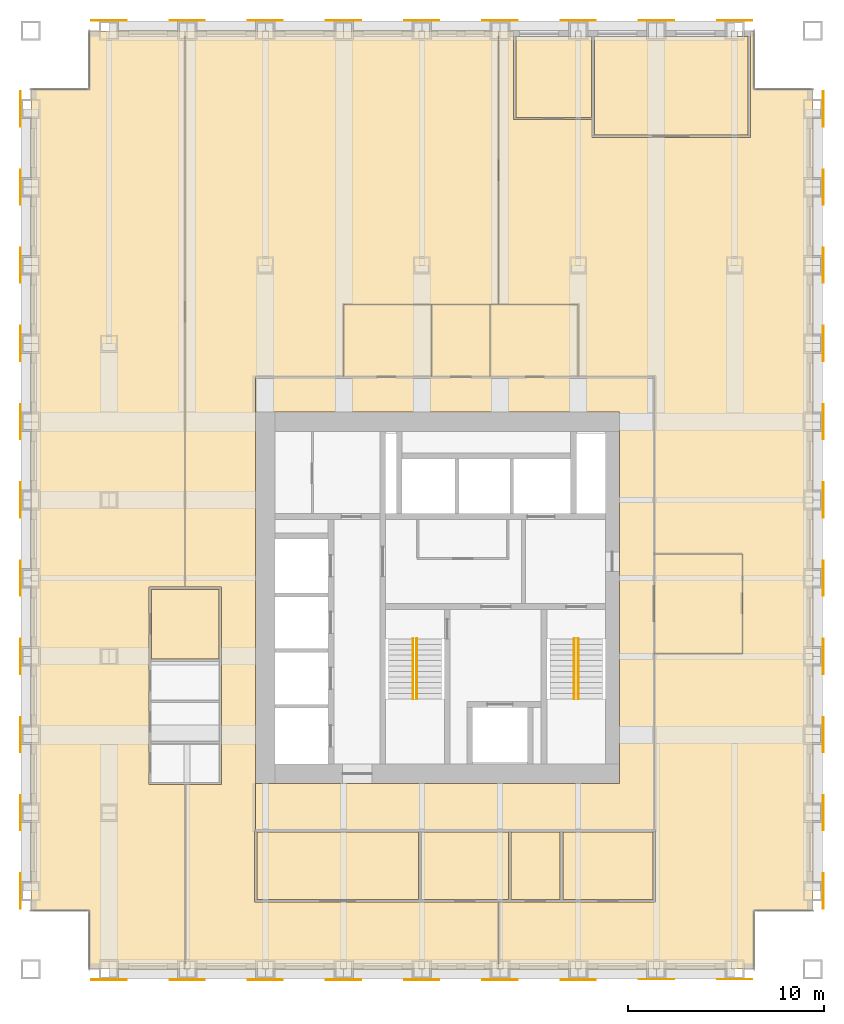
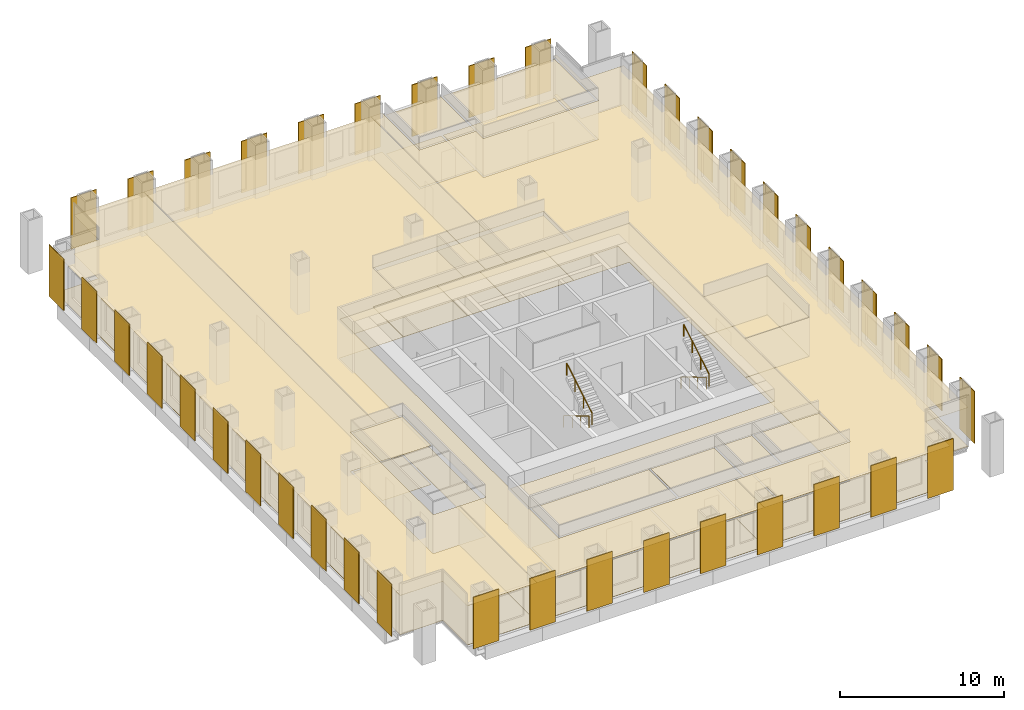
# One storey, part 13 of 13: 40 shading devices, 29 coverings, 4 railings.
"""IFC4 building model written with IfcOpenShell, lengths in metres."""

from ifc_helpers import new_model, si_unit, direction, frame, origin, origin_2d, place, context, subcontext, project, spatial, polyline, rectangle, circle, outline, extrude, material, layer, layer_set, type_object, element, save


model = new_model("IFC4")

# Units and contexts
model_context = context("Model", 3, precision=1e-05, world=origin(), true_north=direction((0.0, 1.0)))
body_context = subcontext(model_context, "Body", "Model", "MODEL_VIEW")
ifc_project = project(units=[si_unit("LENGTHUNIT", "METRE"), si_unit("AREAUNIT", "SQUARE_METRE"), si_unit("VOLUMEUNIT", "CUBIC_METRE"), si_unit("PLANEANGLEUNIT", "RADIAN"), si_unit("MASSUNIT", "GRAM", prefix="KILO")], contexts=[model_context])

# Site, building, storey
site_placement = place(None, origin())
site = spatial("IfcSite", under=ifc_project, at=site_placement, CompositionType="ELEMENT")
building_placement = place(site_placement, origin())
building = spatial("IfcBuilding", under=site, at=building_placement, Name="Rimbunsela Tower", CompositionType="ELEMENT")
storey_placement = place(building_placement, frame((0.0, 0.0, 187.800048828125)))
storey = spatial("IfcBuildingStorey", under=building, at=storey_placement, Name="L45", CompositionType="ELEMENT", Elevation=187.800048828125)

# Coverings
ifc_material_1 = material(Name="Nylon carpet tile", Category="textile")
ifc_layer_1 = layer(ifc_material_1, 0.010009765625)
ifc_layer_set_1 = layer_set([ifc_layer_1], Name="Carpet tile 10")
covering_type_1 = type_object("IfcCoveringType", Name="Carpet tile 10", PredefinedType="FLOORING", material=ifc_layer_set_1)
covering_1_placement = place(storey_placement, origin())
element("IfcCovering", 1, at=covering_1_placement, inside=storey, type_object=covering_type_1, Name="Floor finish Open office", PredefinedType="FLOORING", context=body_context, shape_type="SweptSolid", body=[
    extrude(outline(polyline([(29.925048828125, 56.0), (30.699951171875, 56.0), (30.699951171875, 51.449951171875), (34.699951171875, 51.449951171875), (34.699951171875, 50.550048828125), (37.89990234375, 50.550048828125), (42.800048828125, 50.550048828125), (42.800048828125, 56.0), (43.0, 56.0), (43.0, 53.0), (46.0, 53.0), (46.0, 11.0), (43.0, 11.0), (43.0, 8.0), (37.89990234375, 8.0), (29.925048828125, 8.0), (29.925048828125, 11.449951171875), (30.449951171875, 11.449951171875), (30.550048828125, 11.449951171875), (33.10009765625, 11.449951171875), (33.199951171875, 11.449951171875), (37.89990234375, 11.449951171875), (37.949951171875, 11.449951171875), (37.949951171875, 15.14990234375), (37.89990234375, 15.14990234375), (37.89990234375, 24.14990234375), (42.39990234375, 24.14990234375), (42.39990234375, 29.25), (37.89990234375, 29.25), (37.89990234375, 38.300048828125), (34.0, 38.300048828125), (34.0, 42.0), (29.925048828125, 42.0), (29.925048828125, 56.0)])), origin(), (0.0, 0.0, 1.0), 0.010009765625),
])
covering_2_placement = place(storey_placement, origin())
element("IfcCovering", 2, at=covering_2_placement, inside=storey, type_object=covering_type_1, Name="Floor finish Open office", PredefinedType="FLOORING", context=body_context, shape_type="SweptSolid", body=[
    extrude(outline(polyline([(13.89990234375, 8.0), (9.0, 8.0), (9.0, 11.0), (6.0, 11.0), (6.0, 53.0), (9.0, 53.0), (9.0, 56.0), (13.89990234375, 56.0), (13.89990234375, 27.550048828125), (12.050048828125, 27.550048828125), (12.050048828125, 23.85009765625), (12.050048828125, 23.75), (12.050048828125, 21.75), (12.050048828125, 21.64990234375), (12.050048828125, 19.64990234375), (12.050048828125, 19.550048828125), (12.050048828125, 17.449951171875), (13.89990234375, 17.449951171875), (13.89990234375, 8.0)])), origin(), (0.0, 0.0, 1.0), 0.010009765625),
])
covering_3_placement = place(storey_placement, origin())
element("IfcCovering", 3, at=covering_3_placement, inside=storey, type_object=covering_type_1, Name="Floor finish Open office", PredefinedType="FLOORING", context=body_context, shape_type="SweptSolid", body=[
    extrude(outline(polyline([(17.5, 8.0), (13.89990234375, 8.0), (13.89990234375, 17.449951171875), (15.75, 17.449951171875), (15.75, 19.550048828125), (15.75, 19.64990234375), (15.75, 21.64990234375), (15.75, 21.75), (15.75, 23.75), (15.75, 23.85009765625), (15.75, 27.550048828125), (13.89990234375, 27.550048828125), (13.89990234375, 56.0), (17.5, 56.0), (29.925048828125, 56.0), (29.925048828125, 42.0), (22.0, 42.0), (22.0, 38.300048828125), (17.5, 38.300048828125), (17.5, 36.5), (17.5, 17.5), (17.5, 15.14990234375), (17.449951171875, 15.14990234375), (17.449951171875, 11.449951171875), (17.5, 11.449951171875), (25.85009765625, 11.449951171875), (25.949951171875, 11.449951171875), (29.925048828125, 11.449951171875), (29.925048828125, 8.0), (17.5, 8.0)])), origin(), (0.0, 0.0, 1.0), 0.010009765625),
])
covering_4_placement = place(storey_placement, origin())
element("IfcCovering", 4, at=covering_4_placement, inside=storey, type_object=covering_type_1, Name="Floor finish Reception", PredefinedType="FLOORING", context=body_context, shape_type="SweptSolid", body=[
    extrude(outline(polyline([(42.39990234375, 24.14990234375), (42.39990234375, 29.25), (37.89990234375, 29.25), (37.89990234375, 24.14990234375), (42.39990234375, 24.14990234375)])), origin(), (0.0, 0.0, 1.0), 0.010009765625),
])
covering_5_placement = place(storey_placement, origin())
element("IfcCovering", 5, at=covering_5_placement, inside=storey, type_object=covering_type_1, Name="Floor finish Executive office", PredefinedType="FLOORING", context=body_context, shape_type="SweptSolid", body=[
    extrude(outline(polyline([(34.675048828125, 51.574951171875), (34.675048828125, 55.699951171875), (30.824951171875, 55.699951171875), (30.824951171875, 51.574951171875), (34.675048828125, 51.574951171875)])), origin(), (0.0, 0.0, 1.0), 0.010009765625),
])
covering_6_placement = place(storey_placement, origin())
element("IfcCovering", 6, at=covering_6_placement, inside=storey, type_object=covering_type_1, Name="Floor finish Boardroom", PredefinedType="FLOORING", context=body_context, shape_type="SweptSolid", body=[
    extrude(outline(polyline([(42.675048828125, 50.675048828125), (42.675048828125, 55.699951171875), (34.824951171875, 55.699951171875), (34.824951171875, 50.675048828125), (42.675048828125, 50.675048828125)])), origin(), (0.0, 0.0, 1.0), 0.010009765625),
])
covering_7_placement = place(storey_placement, origin())
element("IfcCovering", 7, at=covering_7_placement, inside=storey, type_object=covering_type_1, Name="Floor finish Training room", PredefinedType="FLOORING", context=body_context, shape_type="SweptSolid", body=[
    extrude(outline(polyline([(25.824951171875, 11.574951171875), (25.824951171875, 15.02490234375), (17.574951171875, 15.02490234375), (17.574951171875, 11.574951171875), (25.824951171875, 11.574951171875)])), origin(), (0.0, 0.0, 1.0), 0.010009765625),
])
covering_8_placement = place(storey_placement, origin())
element("IfcCovering", 8, at=covering_8_placement, inside=storey, type_object=covering_type_1, Name="Floor finish Pantry", PredefinedType="FLOORING", context=body_context, shape_type="SweptSolid", body=[
    extrude(outline(polyline([(30.425048828125, 11.574951171875), (30.425048828125, 15.02490234375), (25.97509765625, 15.02490234375), (25.97509765625, 11.574951171875), (30.425048828125, 11.574951171875)])), origin(), (0.0, 0.0, 1.0), 0.010009765625),
])
covering_9_placement = place(storey_placement, origin())
element("IfcCovering", 9, at=covering_9_placement, inside=storey, type_object=covering_type_1, Name="Floor finish Print and copy room", PredefinedType="FLOORING", context=body_context, shape_type="SweptSolid", body=[
    extrude(outline(polyline([(33.074951171875, 11.574951171875), (33.074951171875, 15.02490234375), (30.574951171875, 15.02490234375), (30.574951171875, 11.574951171875), (33.074951171875, 11.574951171875)])), origin(), (0.0, 0.0, 1.0), 0.010009765625),
])
covering_10_placement = place(storey_placement, origin())
element("IfcCovering", 10, at=covering_10_placement, inside=storey, type_object=covering_type_1, Name="Floor finish Office", PredefinedType="FLOORING", context=body_context, shape_type="SweptSolid", body=[
    extrude(outline(polyline([(37.824951171875, 11.574951171875), (37.824951171875, 15.02490234375), (33.22509765625, 15.02490234375), (33.22509765625, 11.574951171875), (37.824951171875, 11.574951171875)])), origin(), (0.0, 0.0, 1.0), 0.010009765625),
])
covering_11_placement = place(storey_placement, origin())
element("IfcCovering", 11, at=covering_11_placement, inside=storey, type_object=covering_type_1, Name="Floor finish Meeting room", PredefinedType="FLOORING", context=body_context, shape_type="SweptSolid", body=[
    extrude(outline(polyline([(15.625, 23.875), (15.625, 27.425048828125), (12.175048828125, 27.425048828125), (12.175048828125, 23.875), (15.625, 23.875)])), origin(), (0.0, 0.0, 1.0), 0.010009765625),
])
ifc_material_2 = material(Name="Mineral fibre ceiling tile", Category="gypsum")
ifc_layer_2 = layer(ifc_material_2, 0.02001953125)
ifc_layer_set_2 = layer_set([ifc_layer_2], Name="Ceiling 600 grid")
covering_type_2 = type_object("IfcCoveringType", Name="Ceiling 600 grid", PredefinedType="CEILING", material=ifc_layer_set_2)
covering_12_placement = place(storey_placement, frame((0.0, 0.0, 2.89990234375)))
element("IfcCovering", 12, at=covering_12_placement, inside=storey, type_object=covering_type_2, Name="Ceiling U-shaped corridor", PredefinedType="CEILING", context=body_context, shape_type="SweptSolid", body=[
    extrude(outline(polyline([(37.89990234375, 38.300048828125), (37.89990234375, 15.10009765625), (17.5, 15.10009765625), (17.5, 17.5), (36.10009765625, 17.5), (36.10009765625, 36.5), (17.5, 36.5), (17.5, 38.300048828125), (37.89990234375, 38.300048828125)])), origin(), (0.0, 0.0, 1.0), 0.02001953125),
])
covering_13_placement = place(storey_placement, frame((0.0, 0.0, 2.89990234375)))
element("IfcCovering", 13, at=covering_13_placement, inside=storey, type_object=covering_type_2, Name="Ceiling Open office", PredefinedType="CEILING", context=body_context, shape_type="SweptSolid", body=[
    extrude(outline(polyline([(29.925048828125, 56.0), (30.699951171875, 56.0), (30.699951171875, 51.449951171875), (34.699951171875, 51.449951171875), (34.699951171875, 50.550048828125), (37.89990234375, 50.550048828125), (42.800048828125, 50.550048828125), (42.800048828125, 56.0), (43.0, 56.0), (43.0, 53.0), (46.0, 53.0), (46.0, 11.0), (43.0, 11.0), (43.0, 8.0), (37.89990234375, 8.0), (29.925048828125, 8.0), (29.925048828125, 11.449951171875), (30.449951171875, 11.449951171875), (30.550048828125, 11.449951171875), (33.10009765625, 11.449951171875), (33.199951171875, 11.449951171875), (37.89990234375, 11.449951171875), (37.949951171875, 11.449951171875), (37.949951171875, 15.14990234375), (37.89990234375, 15.14990234375), (37.89990234375, 24.14990234375), (42.39990234375, 24.14990234375), (42.39990234375, 29.25), (37.89990234375, 29.25), (37.89990234375, 38.300048828125), (34.0, 38.300048828125), (34.0, 42.0), (29.925048828125, 42.0), (29.925048828125, 56.0)])), origin(), (0.0, 0.0, 1.0), 0.02001953125),
])
covering_14_placement = place(storey_placement, frame((0.0, 0.0, 2.89990234375)))
element("IfcCovering", 14, at=covering_14_placement, inside=storey, type_object=covering_type_2, Name="Ceiling Open office", PredefinedType="CEILING", context=body_context, shape_type="SweptSolid", body=[
    extrude(outline(polyline([(13.89990234375, 8.0), (9.0, 8.0), (9.0, 11.0), (6.0, 11.0), (6.0, 53.0), (9.0, 53.0), (9.0, 56.0), (13.89990234375, 56.0), (13.89990234375, 27.550048828125), (12.050048828125, 27.550048828125), (12.050048828125, 23.85009765625), (12.050048828125, 23.75), (12.050048828125, 21.75), (12.050048828125, 21.64990234375), (12.050048828125, 19.64990234375), (12.050048828125, 19.550048828125), (12.050048828125, 17.449951171875), (13.89990234375, 17.449951171875), (13.89990234375, 8.0)])), origin(), (0.0, 0.0, 1.0), 0.02001953125),
])
covering_15_placement = place(storey_placement, frame((0.0, 0.0, 2.89990234375)))
element("IfcCovering", 15, at=covering_15_placement, inside=storey, type_object=covering_type_2, Name="Ceiling Open office", PredefinedType="CEILING", context=body_context, shape_type="SweptSolid", body=[
    extrude(outline(polyline([(17.5, 8.0), (13.89990234375, 8.0), (13.89990234375, 17.449951171875), (15.75, 17.449951171875), (15.75, 19.550048828125), (15.75, 19.64990234375), (15.75, 21.64990234375), (15.75, 21.75), (15.75, 23.75), (15.75, 23.85009765625), (15.75, 27.550048828125), (13.89990234375, 27.550048828125), (13.89990234375, 56.0), (17.5, 56.0), (29.925048828125, 56.0), (29.925048828125, 42.0), (22.0, 42.0), (22.0, 38.300048828125), (17.5, 38.300048828125), (17.5, 36.5), (17.5, 17.5), (17.5, 15.14990234375), (17.449951171875, 15.14990234375), (17.449951171875, 11.449951171875), (17.5, 11.449951171875), (25.85009765625, 11.449951171875), (25.949951171875, 11.449951171875), (29.925048828125, 11.449951171875), (29.925048828125, 8.0), (17.5, 8.0)])), origin(), (0.0, 0.0, 1.0), 0.02001953125),
])
covering_16_placement = place(storey_placement, frame((0.0, 0.0, 2.89990234375)))
element("IfcCovering", 16, at=covering_16_placement, inside=storey, type_object=covering_type_2, Name="Ceiling Reception", PredefinedType="CEILING", context=body_context, shape_type="SweptSolid", body=[
    extrude(outline(polyline([(42.39990234375, 24.14990234375), (42.39990234375, 29.25), (37.89990234375, 29.25), (37.89990234375, 24.14990234375), (42.39990234375, 24.14990234375)])), origin(), (0.0, 0.0, 1.0), 0.02001953125),
])
covering_17_placement = place(storey_placement, frame((0.0, 0.0, 2.89990234375)))
element("IfcCovering", 17, at=covering_17_placement, inside=storey, type_object=covering_type_2, Name="Ceiling Executive office", PredefinedType="CEILING", context=body_context, shape_type="SweptSolid", body=[
    extrude(outline(polyline([(34.675048828125, 51.574951171875), (34.675048828125, 55.699951171875), (30.824951171875, 55.699951171875), (30.824951171875, 51.574951171875), (34.675048828125, 51.574951171875)])), origin(), (0.0, 0.0, 1.0), 0.02001953125),
])
covering_18_placement = place(storey_placement, frame((0.0, 0.0, 2.89990234375)))
element("IfcCovering", 18, at=covering_18_placement, inside=storey, type_object=covering_type_2, Name="Ceiling Boardroom", PredefinedType="CEILING", context=body_context, shape_type="SweptSolid", body=[
    extrude(outline(polyline([(42.675048828125, 50.675048828125), (42.675048828125, 55.699951171875), (34.824951171875, 55.699951171875), (34.824951171875, 50.675048828125), (42.675048828125, 50.675048828125)])), origin(), (0.0, 0.0, 1.0), 0.02001953125),
])
covering_19_placement = place(storey_placement, frame((0.0, 0.0, 2.89990234375)))
element("IfcCovering", 19, at=covering_19_placement, inside=storey, type_object=covering_type_2, Name="Ceiling Training room", PredefinedType="CEILING", context=body_context, shape_type="SweptSolid", body=[
    extrude(outline(polyline([(25.824951171875, 11.574951171875), (25.824951171875, 15.02490234375), (17.574951171875, 15.02490234375), (17.574951171875, 11.574951171875), (25.824951171875, 11.574951171875)])), origin(), (0.0, 0.0, 1.0), 0.02001953125),
])
covering_20_placement = place(storey_placement, frame((0.0, 0.0, 2.89990234375)))
element("IfcCovering", 20, at=covering_20_placement, inside=storey, type_object=covering_type_2, Name="Ceiling Pantry", PredefinedType="CEILING", context=body_context, shape_type="SweptSolid", body=[
    extrude(outline(polyline([(30.425048828125, 11.574951171875), (30.425048828125, 15.02490234375), (25.97509765625, 15.02490234375), (25.97509765625, 11.574951171875), (30.425048828125, 11.574951171875)])), origin(), (0.0, 0.0, 1.0), 0.02001953125),
])
covering_21_placement = place(storey_placement, frame((0.0, 0.0, 2.89990234375)))
element("IfcCovering", 21, at=covering_21_placement, inside=storey, type_object=covering_type_2, Name="Ceiling Print and copy room", PredefinedType="CEILING", context=body_context, shape_type="SweptSolid", body=[
    extrude(outline(polyline([(33.074951171875, 11.574951171875), (33.074951171875, 15.02490234375), (30.574951171875, 15.02490234375), (30.574951171875, 11.574951171875), (33.074951171875, 11.574951171875)])), origin(), (0.0, 0.0, 1.0), 0.02001953125),
])
covering_22_placement = place(storey_placement, frame((0.0, 0.0, 2.89990234375)))
element("IfcCovering", 22, at=covering_22_placement, inside=storey, type_object=covering_type_2, Name="Ceiling Office", PredefinedType="CEILING", context=body_context, shape_type="SweptSolid", body=[
    extrude(outline(polyline([(37.824951171875, 11.574951171875), (37.824951171875, 15.02490234375), (33.22509765625, 15.02490234375), (33.22509765625, 11.574951171875), (37.824951171875, 11.574951171875)])), origin(), (0.0, 0.0, 1.0), 0.02001953125),
])
covering_23_placement = place(storey_placement, frame((0.0, 0.0, 2.89990234375)))
element("IfcCovering", 23, at=covering_23_placement, inside=storey, type_object=covering_type_2, Name="Ceiling Meeting room", PredefinedType="CEILING", context=body_context, shape_type="SweptSolid", body=[
    extrude(outline(polyline([(15.625, 23.875), (15.625, 27.425048828125), (12.175048828125, 27.425048828125), (12.175048828125, 23.875), (15.625, 23.875)])), origin(), (0.0, 0.0, 1.0), 0.02001953125),
])
ifc_material_3 = material(Name="Moisture-resistant plasterboard ceiling", Category="gypsum")
ifc_layer_3 = layer(ifc_material_3, 0.012451171875)
ifc_layer_set_3 = layer_set([ifc_layer_3], Name="Ceiling moisture-resistant board")
covering_type_3 = type_object("IfcCoveringType", Name="Ceiling moisture-resistant board", PredefinedType="CEILING", material=ifc_layer_set_3)
covering_24_placement = place(storey_placement, frame((0.0, 0.0, 2.599853515625)))
element("IfcCovering", 24, at=covering_24_placement, inside=storey, type_object=covering_type_3, Name="Ceiling Female WC", PredefinedType="CEILING", context=body_context, shape_type="SweptSolid", body=[
    extrude(outline(polyline([(26.5, 38.300048828125), (26.5, 42.0), (22.0, 42.0), (22.0, 38.300048828125), (26.5, 38.300048828125)])), origin(), (0.0, 0.0, 1.0), 0.02001953125),
])
covering_25_placement = place(storey_placement, frame((0.0, 0.0, 2.599853515625)))
element("IfcCovering", 25, at=covering_25_placement, inside=storey, type_object=covering_type_3, Name="Ceiling Accessible WC", PredefinedType="CEILING", context=body_context, shape_type="SweptSolid", body=[
    extrude(outline(polyline([(29.5, 38.300048828125), (29.5, 42.0), (26.5, 42.0), (26.5, 38.300048828125), (29.5, 38.300048828125)])), origin(), (0.0, 0.0, 1.0), 0.02001953125),
])
covering_26_placement = place(storey_placement, frame((0.0, 0.0, 2.599853515625)))
element("IfcCovering", 26, at=covering_26_placement, inside=storey, type_object=covering_type_3, Name="Ceiling Male WC", PredefinedType="CEILING", context=body_context, shape_type="SweptSolid", body=[
    extrude(outline(polyline([(34.0, 38.300048828125), (34.0, 42.0), (29.5, 42.0), (29.5, 38.300048828125), (34.0, 38.300048828125)])), origin(), (0.0, 0.0, 1.0), 0.02001953125),
])
ifc_material_4 = material(Name="Porcelain floor tile in adhesive bed", Category="ceramic")
ifc_layer_4 = layer(ifc_material_4, 0.02001953125)
ifc_layer_set_4 = layer_set([ifc_layer_4], Name="Porcelain tile 20")
covering_type_4 = type_object("IfcCoveringType", Name="Porcelain tile 20", PredefinedType="FLOORING", material=ifc_layer_set_4)
covering_27_placement = place(storey_placement, origin())
element("IfcCovering", 27, at=covering_27_placement, inside=storey, type_object=covering_type_4, Name="Floor finish Female WC", PredefinedType="FLOORING", context=body_context, shape_type="SweptSolid", body=[
    extrude(outline(polyline([(26.5, 38.300048828125), (26.5, 42.0), (22.0, 42.0), (22.0, 38.300048828125), (26.5, 38.300048828125)])), origin(), (0.0, 0.0, 1.0), 0.02001953125),
])
covering_28_placement = place(storey_placement, origin())
element("IfcCovering", 28, at=covering_28_placement, inside=storey, type_object=covering_type_4, Name="Floor finish Accessible WC", PredefinedType="FLOORING", context=body_context, shape_type="SweptSolid", body=[
    extrude(outline(polyline([(29.5, 38.300048828125), (29.5, 42.0), (26.5, 42.0), (26.5, 38.300048828125), (29.5, 38.300048828125)])), origin(), (0.0, 0.0, 1.0), 0.02001953125),
])
covering_29_placement = place(storey_placement, origin())
element("IfcCovering", 29, at=covering_29_placement, inside=storey, type_object=covering_type_4, Name="Floor finish Male WC", PredefinedType="FLOORING", context=body_context, shape_type="SweptSolid", body=[
    extrude(outline(polyline([(34.0, 38.300048828125), (34.0, 42.0), (29.5, 42.0), (29.5, 38.300048828125), (34.0, 38.300048828125)])), origin(), (0.0, 0.0, 1.0), 0.02001953125),
])

# Shading devices
ifc_material_5 = material(Name="Perforated aluminium, 35 % open area", Category="aluminium")
ifc_layer_5 = layer(ifc_material_5, 0.050048828125)
ifc_layer_set_5 = layer_set([ifc_layer_5], Name="Solar screen panel 1800")
shading_device_type = type_object("IfcShadingDeviceType", Name="Solar screen panel 1800", PredefinedType="USERDEFINED", material=ifc_layer_set_5)
for number, where, z_axis, x_axis, name in (
    (30, (10.0, 7.47509765625, 0.0), (0.0, 0.0, 1.0), (1.0, 0.0, 0.0), "Solar screen S L45"),
    (31, (14.0, 7.47509765625, 0.0), (0.0, 0.0, 1.0), (1.0, 0.0, 0.0), "Solar screen S L45"),
    (32, (18.0, 7.47509765625, 0.0), (0.0, 0.0, 1.0), (1.0, 0.0, 0.0), "Solar screen S L45"),
    (33, (22.0, 7.47509765625, 0.0), (0.0, 0.0, 1.0), (1.0, 0.0, 0.0), "Solar screen S L45"),
    (34, (26.0, 7.47509765625, 0.0), (0.0, 0.0, 1.0), (1.0, 0.0, 0.0), "Solar screen S L45"),
    (35, (30.0, 7.47509765625, 0.0), (0.0, 0.0, 1.0), (1.0, 0.0, 0.0), "Solar screen S L45"),
    (36, (34.0, 7.47509765625, 0.0), (0.0, 0.0, 1.0), (1.0, 0.0, 0.0), "Solar screen S L45"),
    (37, (38.0, 7.47509765625, 0.0), (0.0, 0.0, 1.0), (1.0, 0.0, 0.0), "Solar screen S L45"),
    (38, (42.0, 7.47509765625, 0.0), (0.0, 0.0, 1.0), (1.0, 0.0, 0.0), "Solar screen S L45"),
    (39, (46.52490234375, 12.0, 0.0), (0.0, 0.0, 1.0), (0.0, 1.0, 0.0), "Solar screen E L45"),
    (40, (46.52490234375, 16.0, 0.0), (0.0, 0.0, 1.0), (0.0, 1.0, 0.0), "Solar screen E L45"),
    (41, (46.52490234375, 20.0, 0.0), (0.0, 0.0, 1.0), (0.0, 1.0, 0.0), "Solar screen E L45"),
    (42, (46.52490234375, 24.0, 0.0), (0.0, 0.0, 1.0), (0.0, 1.0, 0.0), "Solar screen E L45"),
    (43, (46.52490234375, 28.0, 0.0), (0.0, 0.0, 1.0), (0.0, 1.0, 0.0), "Solar screen E L45"),
    (44, (46.52490234375, 32.0, 0.0), (0.0, 0.0, 1.0), (0.0, 1.0, 0.0), "Solar screen E L45"),
    (45, (46.52490234375, 36.0, 0.0), (0.0, 0.0, 1.0), (0.0, 1.0, 0.0), "Solar screen E L45"),
    (46, (46.52490234375, 40.0, 0.0), (0.0, 0.0, 1.0), (0.0, 1.0, 0.0), "Solar screen E L45"),
    (47, (46.52490234375, 44.0, 0.0), (0.0, 0.0, 1.0), (0.0, 1.0, 0.0), "Solar screen E L45"),
    (48, (46.52490234375, 48.0, 0.0), (0.0, 0.0, 1.0), (0.0, 1.0, 0.0), "Solar screen E L45"),
    (49, (46.52490234375, 52.0, 0.0), (0.0, 0.0, 1.0), (0.0, 1.0, 0.0), "Solar screen E L45"),
    (50, (10.0, 56.52490234375, 0.0), (0.0, 0.0, 1.0), (1.0, 0.0, 0.0), "Solar screen N L45"),
    (51, (14.0, 56.52490234375, 0.0), (0.0, 0.0, 1.0), (1.0, 0.0, 0.0), "Solar screen N L45"),
    (52, (18.0, 56.52490234375, 0.0), (0.0, 0.0, 1.0), (1.0, 0.0, 0.0), "Solar screen N L45"),
    (53, (22.0, 56.52490234375, 0.0), (0.0, 0.0, 1.0), (1.0, 0.0, 0.0), "Solar screen N L45"),
    (54, (26.0, 56.52490234375, 0.0), (0.0, 0.0, 1.0), (1.0, 0.0, 0.0), "Solar screen N L45"),
    (55, (30.0, 56.52490234375, 0.0), (0.0, 0.0, 1.0), (1.0, 0.0, 0.0), "Solar screen N L45"),
    (56, (34.0, 56.52490234375, 0.0), (0.0, 0.0, 1.0), (1.0, 0.0, 0.0), "Solar screen N L45"),
    (57, (38.0, 56.52490234375, 0.0), (0.0, 0.0, 1.0), (1.0, 0.0, 0.0), "Solar screen N L45"),
    (58, (42.0, 56.52490234375, 0.0), (0.0, 0.0, 1.0), (1.0, 0.0, 0.0), "Solar screen N L45"),
    (59, (5.47509765625, 12.0, 0.0), (0.0, 0.0, 1.0), (0.0, 1.0, 0.0), "Solar screen W L45"),
    (60, (5.47509765625, 16.0, 0.0), (0.0, 0.0, 1.0), (0.0, 1.0, 0.0), "Solar screen W L45"),
    (61, (5.47509765625, 20.0, 0.0), (0.0, 0.0, 1.0), (0.0, 1.0, 0.0), "Solar screen W L45"),
    (62, (5.47509765625, 24.0, 0.0), (0.0, 0.0, 1.0), (0.0, 1.0, 0.0), "Solar screen W L45"),
    (63, (5.47509765625, 28.0, 0.0), (0.0, 0.0, 1.0), (0.0, 1.0, 0.0), "Solar screen W L45"),
    (64, (5.47509765625, 32.0, 0.0), (0.0, 0.0, 1.0), (0.0, 1.0, 0.0), "Solar screen W L45"),
    (65, (5.47509765625, 36.0, 0.0), (0.0, 0.0, 1.0), (0.0, 1.0, 0.0), "Solar screen W L45"),
    (66, (5.47509765625, 40.0, 0.0), (0.0, 0.0, 1.0), (0.0, 1.0, 0.0), "Solar screen W L45"),
    (67, (5.47509765625, 44.0, 0.0), (0.0, 0.0, 1.0), (0.0, 1.0, 0.0), "Solar screen W L45"),
    (68, (5.47509765625, 48.0, 0.0), (0.0, 0.0, 1.0), (0.0, 1.0, 0.0), "Solar screen W L45"),
    (69, (5.47509765625, 52.0, 0.0), (0.0, 0.0, 1.0), (0.0, 1.0, 0.0), "Solar screen W L45"),
):
    element("IfcShadingDevice", number, at=place(storey_placement, frame(where, z_axis=z_axis, x_axis=x_axis)), inside=storey, type_object=shading_device_type, Name=name, ObjectType="SCREEN", PredefinedType="USERDEFINED", context=body_context, shape_type="SweptSolid", body=[
        extrude(rectangle(XDim=1.800048828125, YDim=0.050048828125, at=origin_2d()), origin(), (0.0, 0.0, 1.0), 3.85009765625),
    ])

# Railings
ifc_material_6 = material(Name="Stainless steel tube", Category="steel")
railing_type = type_object("IfcRailingType", Name="Stair handrail 900", PredefinedType="HANDRAIL", material=ifc_material_6)
railing_1_placement = place(storey_placement, frame((25.550048828125, 24.89990234375, 0.16650390625)))
element("IfcRailing", 70, at=railing_1_placement, inside=storey, type_object=railing_type, Name="Handrail ST-A flight 1", PredefinedType="HANDRAIL", context=body_context, shape_type="SweptSolid", body=[
    extrude(circle(Radius=0.02392578125, at=origin_2d()), frame((0.0, 0.0, 0.8759765625), z_axis=(0.0, -0.859260807169, 0.511537745687), x_axis=(1.0, 0.0, 0.0)), (0.0, 0.0, 1.0), 3.584228515625),
    extrude(circle(Radius=0.02099609375, at=origin_2d()), origin(), (0.0, 0.0, 1.0), 0.851806640625),
    extrude(circle(Radius=0.02099609375, at=origin_2d()), frame((0.0, -1.026611328125, 0.611083984375)), (0.0, 0.0, 1.0), 0.851806640625),
    extrude(circle(Radius=0.02099609375, at=origin_2d()), frame((0.0, -2.05322265625, 1.222412109375)), (0.0, 0.0, 1.0), 0.851806640625),
    extrude(circle(Radius=0.02099609375, at=origin_2d()), frame((0.0, -3.079833984375, 1.83349609375)), (0.0, 0.0, 1.0), 0.851806640625),
])
railing_2_placement = place(storey_placement, frame((25.75, 21.820068359375, 2.16650390625)))
element("IfcRailing", 71, at=railing_2_placement, inside=storey, type_object=railing_type, Name="Handrail ST-A flight 2", PredefinedType="HANDRAIL", context=body_context, shape_type="SweptSolid", body=[
    extrude(circle(Radius=0.02392578125, at=origin_2d()), frame((0.0, 0.0, 0.8759765625), z_axis=(0.0, 0.859260807169, 0.511537745687), x_axis=(-1.0, 0.0, 0.0)), (0.0, 0.0, 1.0), 3.584228515625),
    extrude(circle(Radius=0.02099609375, at=origin_2d()), origin(), (0.0, 0.0, 1.0), 0.851806640625),
    extrude(circle(Radius=0.02099609375, at=origin_2d()), frame((0.0, 1.026611328125, 0.611083984375)), (0.0, 0.0, 1.0), 0.851806640625),
    extrude(circle(Radius=0.02099609375, at=origin_2d()), frame((0.0, 2.05322265625, 1.222412109375)), (0.0, 0.0, 1.0), 0.851806640625),
    extrude(circle(Radius=0.02099609375, at=origin_2d()), frame((0.0, 3.079833984375, 1.83349609375)), (0.0, 0.0, 1.0), 0.851806640625),
])
railing_3_placement = place(storey_placement, frame((33.800048828125, 24.89990234375, 0.16650390625)))
element("IfcRailing", 72, at=railing_3_placement, inside=storey, type_object=railing_type, Name="Handrail ST-B flight 1", PredefinedType="HANDRAIL", context=body_context, shape_type="SweptSolid", body=[
    extrude(circle(Radius=0.02392578125, at=origin_2d()), frame((0.0, 0.0, 0.8759765625), z_axis=(0.0, -0.859260807169, 0.511537745687), x_axis=(1.0, 0.0, 0.0)), (0.0, 0.0, 1.0), 3.584228515625),
    extrude(circle(Radius=0.02099609375, at=origin_2d()), origin(), (0.0, 0.0, 1.0), 0.851806640625),
    extrude(circle(Radius=0.02099609375, at=origin_2d()), frame((0.0, -1.026611328125, 0.611083984375)), (0.0, 0.0, 1.0), 0.851806640625),
    extrude(circle(Radius=0.02099609375, at=origin_2d()), frame((0.0, -2.05322265625, 1.222412109375)), (0.0, 0.0, 1.0), 0.851806640625),
    extrude(circle(Radius=0.02099609375, at=origin_2d()), frame((0.0, -3.079833984375, 1.83349609375)), (0.0, 0.0, 1.0), 0.851806640625),
])
railing_4_placement = place(storey_placement, frame((34.0, 21.820068359375, 2.16650390625)))
element("IfcRailing", 73, at=railing_4_placement, inside=storey, type_object=railing_type, Name="Handrail ST-B flight 2", PredefinedType="HANDRAIL", context=body_context, shape_type="SweptSolid", body=[
    extrude(circle(Radius=0.02392578125, at=origin_2d()), frame((0.0, 0.0, 0.8759765625), z_axis=(0.0, 0.859260807169, 0.511537745687), x_axis=(-1.0, 0.0, 0.0)), (0.0, 0.0, 1.0), 3.584228515625),
    extrude(circle(Radius=0.02099609375, at=origin_2d()), origin(), (0.0, 0.0, 1.0), 0.851806640625),
    extrude(circle(Radius=0.02099609375, at=origin_2d()), frame((0.0, 1.026611328125, 0.611083984375)), (0.0, 0.0, 1.0), 0.851806640625),
    extrude(circle(Radius=0.02099609375, at=origin_2d()), frame((0.0, 2.05322265625, 1.222412109375)), (0.0, 0.0, 1.0), 0.851806640625),
    extrude(circle(Radius=0.02099609375, at=origin_2d()), frame((0.0, 3.079833984375, 1.83349609375)), (0.0, 0.0, 1.0), 0.851806640625),
])

save(model, "model.ifc")
